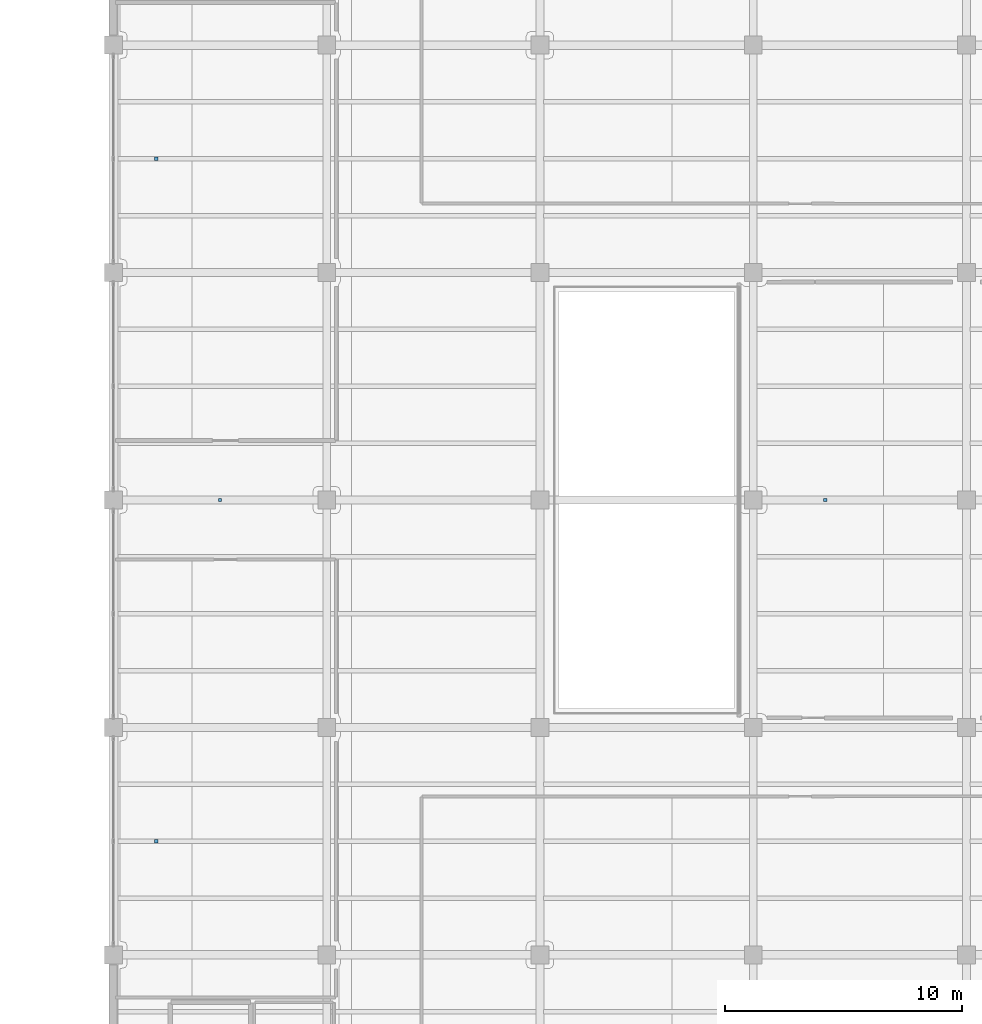
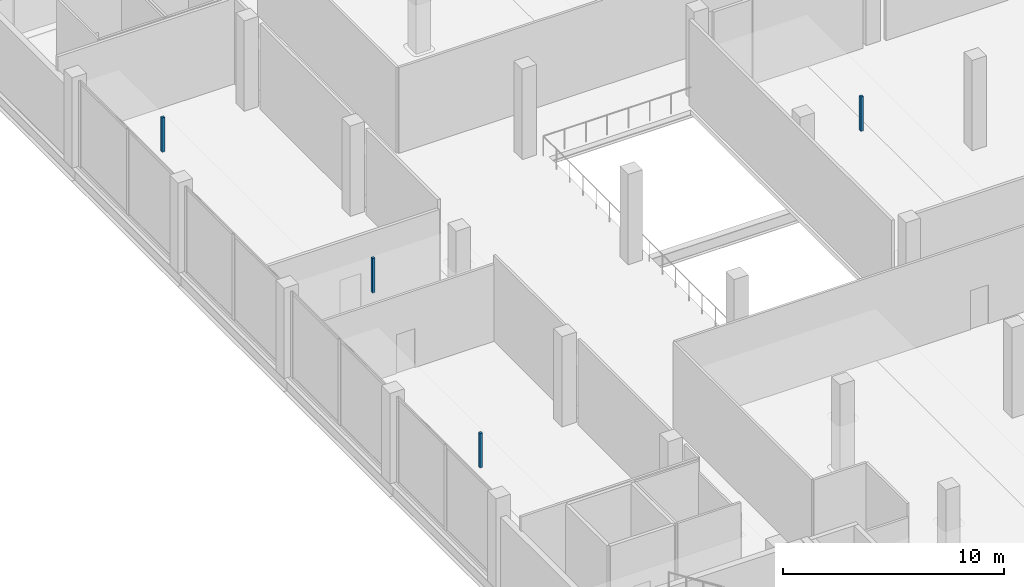
# One storey, part 38 of 47: 4 discrete accessories.
"""IFC4 building model written with IfcOpenShell, lengths in metres."""

from ifc_helpers import new_model, si_unit, direction, frame, origin, origin_2d, place, context, subcontext, project, spatial, rectangle, extrude, material, type_object, element, save


model = new_model("IFC4")

# Units and contexts
model_context = context("Model", 3, precision=1e-05, world=origin(), true_north=direction((0.0, 1.0)))
body_context = subcontext(model_context, "Body", "Model", "MODEL_VIEW")
ifc_project = project(units=[si_unit("LENGTHUNIT", "METRE"), si_unit("AREAUNIT", "SQUARE_METRE"), si_unit("VOLUMEUNIT", "CUBIC_METRE"), si_unit("PLANEANGLEUNIT", "RADIAN"), si_unit("MASSUNIT", "GRAM", prefix="KILO")], contexts=[model_context])

# Site, building, storey
site_placement = place(None, origin())
site = spatial("IfcSite", under=ifc_project, at=site_placement, CompositionType="ELEMENT")
building_placement = place(site_placement, origin())
building = spatial("IfcBuilding", under=site, at=building_placement, Name="Qorvath Tower", CompositionType="ELEMENT")
storey_placement = place(building_placement, frame((0.0, 0.0, 12.0)))
storey = spatial("IfcBuildingStorey", under=building, at=storey_placement, Name="L02", CompositionType="ELEMENT", Elevation=12.0)

# Discrete accessories
ifc_material = material(Name="Galvanised steel bracket", Category="steel")
discrete_accessory_type = type_object("IfcDiscreteAccessoryType", Name="DA-BRACKET", PredefinedType="BRACKET", material=ifc_material)
for number, where, z_axis, x_axis, name in (
    (1, (36.89990234375, 0.0, 2.85986328125), (0.0, 0.0, 1.0), (1.0, 0.0, 0.0), "Acoustic Ceiling Suspension Hanger LB-L02-005"),
    (2, (62.444091796875, 0.0, 2.85986328125), (0.0, 0.0, 1.0), (1.0, 0.0, 0.0), "Acoustic Ceiling Suspension Hanger LB-L02-008"),
    (3, (34.203369140625, 14.39990234375, 2.85986328125), (0.0, 0.0, 1.0), (1.0, 0.0, 0.0), "Acoustic Ceiling Suspension Hanger LB-L02-009"),
    (4, (34.203369140625, -14.39990234375, 2.85986328125), (0.0, 0.0, 1.0), (1.0, 0.0, 0.0), "Acoustic Ceiling Suspension Hanger LB-L02-010"),
):
    element("IfcDiscreteAccessory", number, at=place(storey_placement, frame(where, z_axis=z_axis, x_axis=x_axis)), inside=storey, type_object=discrete_accessory_type, Name=name, PredefinedType="NOTDEFINED", context=body_context, shape_type="SweptSolid", body=[
        extrude(rectangle(XDim=0.139892578125, YDim=0.139892578125, at=origin_2d()), origin(), (0.0, 0.0, 1.0), 1.909912109375),
    ])

save(model, "model.ifc")
